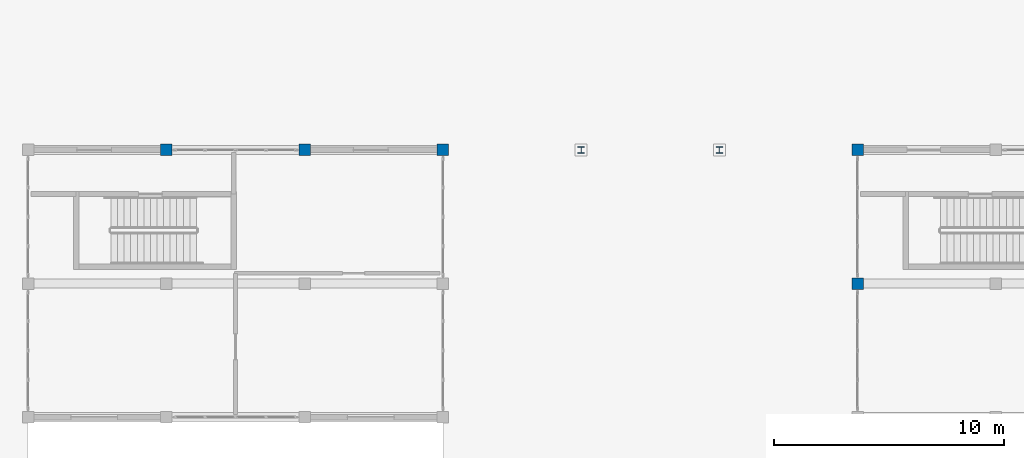
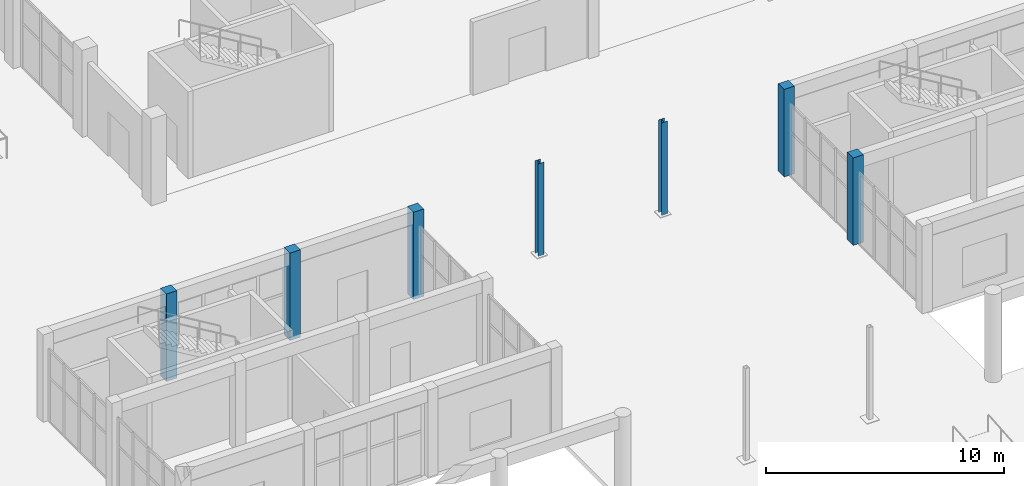
# One storey, part 3 of 132: 7 columns.
"""IFC4 building model written with IfcOpenShell, lengths in metres."""

from ifc_helpers import new_model, si_unit, direction, frame, origin, origin_2d, place, context, subcontext, project, spatial, rectangle, i_section, extrude, material, material_profile, profile_set, type_object, element, save


model = new_model("IFC4")

# Units and contexts
model_context = context("Model", 3, precision=1e-05, world=origin(), true_north=direction((0.0, 1.0)))
body_context = subcontext(model_context, "Body", "Model", "MODEL_VIEW")
ifc_project = project(units=[si_unit("LENGTHUNIT", "METRE"), si_unit("AREAUNIT", "SQUARE_METRE"), si_unit("VOLUMEUNIT", "CUBIC_METRE"), si_unit("PLANEANGLEUNIT", "RADIAN"), si_unit("MASSUNIT", "GRAM", prefix="KILO")], contexts=[model_context])

# Site, building, storey
site_placement = place(None, origin())
site = spatial("IfcSite", under=ifc_project, at=site_placement, CompositionType="ELEMENT")
building_placement = place(site_placement, origin())
building = spatial("IfcBuilding", under=site, at=building_placement, Name="Tanwirah Colonnade Gardens", CompositionType="ELEMENT")
storey_placement = place(building_placement, origin())
storey = spatial("IfcBuildingStorey", under=building, at=storey_placement, Name="L00", CompositionType="ELEMENT", Elevation=0.0)

# Columns
ifc_material_1 = material(Name="Precast concrete C40/50", Category="concrete")
ifc_material_profile_1 = material_profile(ifc_material_1, rectangle(XDim=0.5, YDim=0.5, at=origin_2d()), Name="PC-COL 500x500")
ifc_profile_set_1 = profile_set([ifc_material_profile_1], Name="Precast concrete C40/50")
column_type_1 = type_object("IfcColumnType", Name="C-PC500", PredefinedType="COLUMN", material=ifc_profile_set_1)
for number, where, z_axis, x_axis, name in (
    (1, (72.0, 28.199951171875, 0.0), (0.0, 0.0, 1.0), (1.0, 0.0, 0.0), "Boulevard Shops W L00 Column 1.3"),
    (2, (78.0, 28.199951171875, 0.0), (0.0, 0.0, 1.0), (1.0, 0.0, 0.0), "Boulevard Shops W L00 Column 2.3"),
    (3, (84.0, 28.199951171875, 0.0), (0.0, 0.0, 1.0), (1.0, 0.0, 0.0), "Boulevard Shops W L00 Column 3.3"),
    (4, (102.0, 22.39990234375, 0.0), (0.0, 0.0, 1.0), (1.0, 0.0, 0.0), "Boulevard Shops E L00 Column 0.2"),
    (5, (102.0, 28.199951171875, 0.0), (0.0, 0.0, 1.0), (1.0, 0.0, 0.0), "Boulevard Shops E L00 Column 0.3"),
):
    element("IfcColumn", number, at=place(storey_placement, frame(where, z_axis=z_axis, x_axis=x_axis)), inside=storey, type_object=column_type_1, Name=name, PredefinedType="COLUMN", context=body_context, shape_type="SweptSolid", body=[
        extrude(rectangle(XDim=0.5, YDim=0.5, at=origin_2d()), origin(), (0.0, 0.0, 1.0), 4.489990234375),
    ])
ifc_material_2 = material(Name="Steel S355", Category="steel")
ifc_material_profile_2 = material_profile(ifc_material_2, i_section(OverallWidth=0.280029296875, OverallDepth=0.27001953125, WebThickness=0.008056640625, FlangeThickness=0.012939453125, at=origin_2d()), Name="HEA 280")
ifc_profile_set_2 = profile_set([ifc_material_profile_2], Name="Steel S355")
column_type_2 = type_object("IfcColumnType", Name="SCOL-HEA280", PredefinedType="COLUMN", material=ifc_profile_set_2)
for number, where, z_axis, x_axis, name in (
    (6, (90.0, 28.199951171875, 0.0), (0.0, 0.0, 1.0), (1.0, 0.0, 0.0), "Forecourt Canopy Lower Steel Column 1.2"),
    (7, (96.0, 28.199951171875, 0.0), (0.0, 0.0, 1.0), (1.0, 0.0, 0.0), "Forecourt Canopy Lower Steel Column 2.2"),
):
    element("IfcColumn", number, at=place(storey_placement, frame(where, z_axis=z_axis, x_axis=x_axis)), inside=storey, type_object=column_type_2, Name=name, PredefinedType="COLUMN", context=body_context, shape_type="SweptSolid", body=[
        extrude(i_section(OverallWidth=0.280029296875, OverallDepth=0.27001953125, WebThickness=0.008056640625, FlangeThickness=0.012939453125, at=origin_2d()), origin(), (0.0, 0.0, 1.0), 4.760009765625),
    ])

save(model, "model.ifc")
